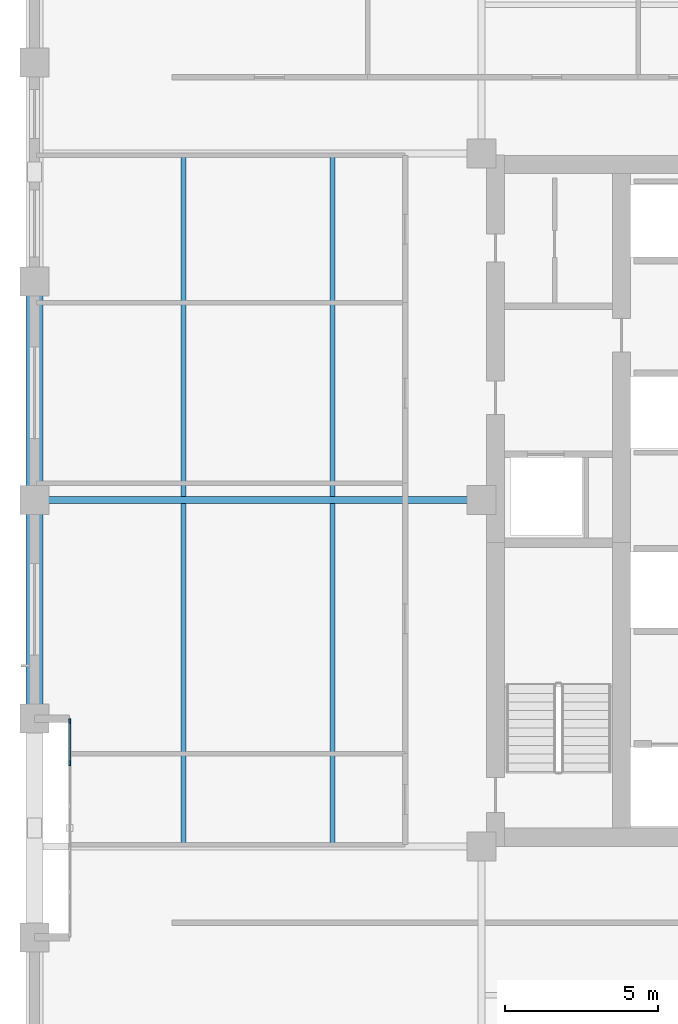
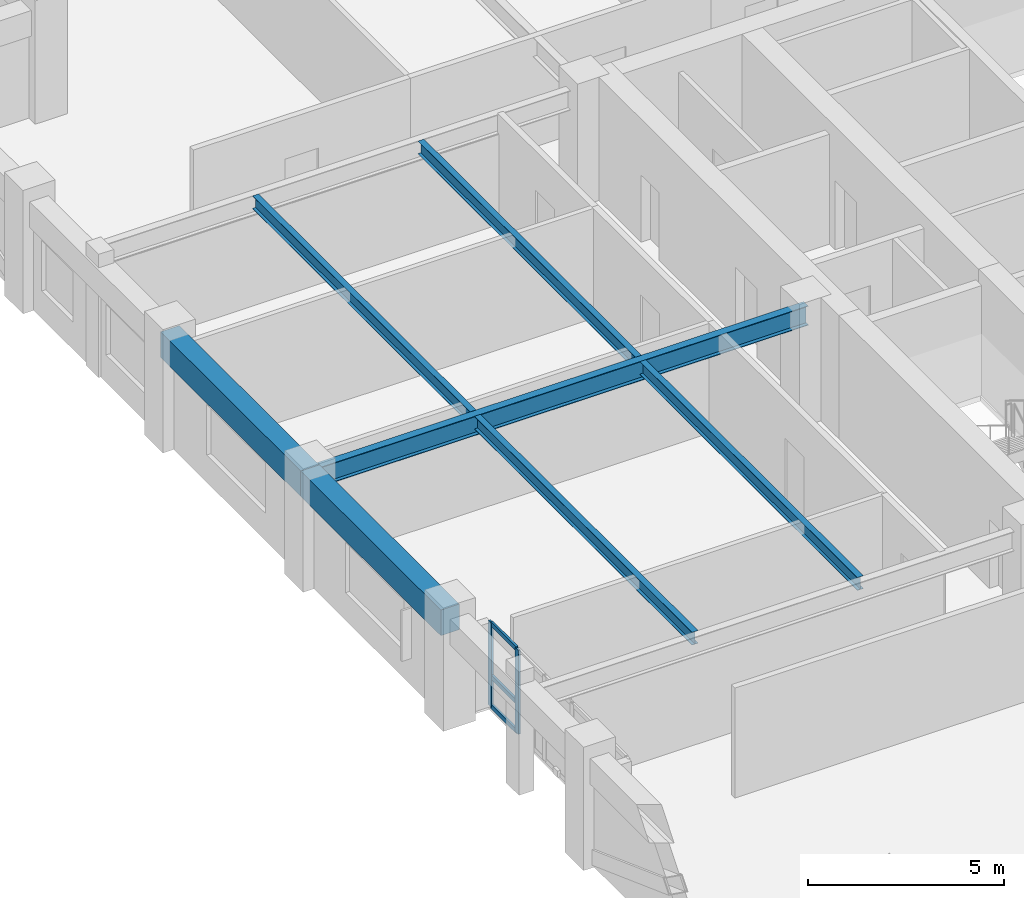
# One storey, part 4 of 14: 7 beams, 5 members, 1 element without a shape of its own.
"""IFC4 building model written with IfcOpenShell, lengths in metres."""

from ifc_helpers import new_model, si_unit, direction, frame, origin, origin_2d, place, context, subcontext, project, spatial, rectangle, i_section, extrude, material, layer, layer_set, material_profile, profile_set, type_object, element, aggregate, save


model = new_model("IFC4")

# Units and contexts
model_context = context("Model", 3, precision=1e-05, world=origin(), true_north=direction((0.0, 1.0)))
body_context = subcontext(model_context, "Body", "Model", "MODEL_VIEW")
ifc_project = project(units=[si_unit("LENGTHUNIT", "METRE"), si_unit("AREAUNIT", "SQUARE_METRE"), si_unit("VOLUMEUNIT", "CUBIC_METRE"), si_unit("PLANEANGLEUNIT", "RADIAN"), si_unit("MASSUNIT", "GRAM", prefix="KILO")], contexts=[model_context])

# Site, building, storey
site_placement = place(None, origin())
site = spatial("IfcSite", under=ifc_project, at=site_placement, CompositionType="ELEMENT")
building_placement = place(site_placement, origin())
building = spatial("IfcBuilding", under=site, at=building_placement, Name="Nhamokura Convention Tower", CompositionType="ELEMENT")
storey_placement = place(building_placement, frame((0.0, 0.0, 172.199951171875)))
storey = spatial("IfcBuildingStorey", under=building, at=storey_placement, Name="L42", CompositionType="ELEMENT", Elevation=172.199951171875)

# Curtain wall, members
ifc_material_1 = material(Name="Anodised bronze aluminium AA6063-T6", Category="aluminium")
ifc_layer = layer(ifc_material_1, 0.159912109375)
ifc_layer_set = layer_set([ifc_layer], Name="CWSystem_ScaleSlot_Zone2")
curtain_wall_type = type_object("IfcCurtainWallType", Name="CWSystem_ScaleSlot_Zone2", PredefinedType="NOTDEFINED", material=ifc_layer_set)
curtain_wall_placement = place(storey_placement, origin())
curtain_wall = element("IfcCurtainWall", 1, at=curtain_wall_placement, inside=storey, type_object=curtain_wall_type, Name="L42 Curtain Wall ENV-L42-SLOT-W1", PredefinedType="NOTDEFINED")
ifc_material_2 = material(Name="Anodised bronze aluminium AA6063-T6", Category="aluminium")
ifc_material_profile_1 = material_profile(ifc_material_2, rectangle(XDim=0.06494140625, YDim=0.1650390625, at=origin_2d()))
ifc_profile_set_1 = profile_set([ifc_material_profile_1], Name="Anodised bronze aluminium AA6063-T6")
member_type_1 = type_object("IfcMemberType", Name="CWMullion_3", PredefinedType="MULLION", material=ifc_profile_set_1)
member_1_placement = place(storey_placement, frame((7.14990234375, 23.364013671875, 0.0), z_axis=(0.0, 0.0, 1.0), x_axis=(-1.0, 0.0, 0.0)))
member_1 = element("IfcMember", 2, at=member_1_placement, type_object=member_type_1, Name="CW-04 mullion 5", PredefinedType="MULLION", context=body_context, shape_type="SweptSolid", body=[
    extrude(rectangle(XDim=0.06494140625, YDim=0.1650390625, at=origin_2d()), origin(), (0.0, 0.0, 1.0), 2.630126953125),
])
member_2_placement = place(storey_placement, frame((7.14990234375, 24.74072265625, 0.0), z_axis=(0.0, 0.0, 1.0), x_axis=(-1.0, 0.0, 0.0)))
member_2 = element("IfcMember", 3, at=member_2_placement, type_object=member_type_1, Name="CW-04 mullion 6", PredefinedType="MULLION", context=body_context, shape_type="SweptSolid", body=[
    extrude(rectangle(XDim=0.06494140625, YDim=0.1650390625, at=origin_2d()), origin(), (0.0, 0.0, 1.0), 2.630126953125),
])
ifc_material_3 = material(Name="Anodised bronze aluminium AA6063-T6", Category="aluminium")
ifc_material_profile_2 = material_profile(ifc_material_3, rectangle(XDim=0.06494140625, YDim=0.139892578125, at=origin_2d()))
ifc_profile_set_2 = profile_set([ifc_material_profile_2], Name="Anodised bronze aluminium AA6063-T6")
member_type_2 = type_object("IfcMemberType", Name="CWTransom_3", PredefinedType="USERDEFINED", material=ifc_profile_set_2)
member_3_placement = place(storey_placement, frame((7.14990234375, 23.396484375, 0.032470703125), z_axis=(0.0, 1.0, 0.0), x_axis=(-1.0, 0.0, 0.0)))
member_3 = element("IfcMember", 4, at=member_3_placement, type_object=member_type_2, Name="CW-04 transom 5.1", ObjectType="TRANSOM", PredefinedType="USERDEFINED", context=body_context, shape_type="SweptSolid", body=[
    extrude(rectangle(XDim=0.06494140625, YDim=0.139892578125, at=origin_2d()), origin(), (0.0, 0.0, 1.0), 1.311767578125),
])
member_4_placement = place(storey_placement, frame((7.14990234375, 23.396484375, 0.949951171875), z_axis=(0.0, 1.0, 0.0), x_axis=(-1.0, 0.0, 0.0)))
member_4 = element("IfcMember", 5, at=member_4_placement, type_object=member_type_2, Name="CW-04 transom 5.2", ObjectType="TRANSOM", PredefinedType="USERDEFINED", context=body_context, shape_type="SweptSolid", body=[
    extrude(rectangle(XDim=0.06494140625, YDim=0.139892578125, at=origin_2d()), origin(), (0.0, 0.0, 1.0), 1.311767578125),
])
member_5_placement = place(storey_placement, frame((7.14990234375, 23.396484375, 2.59765625), z_axis=(0.0, 1.0, 0.0), x_axis=(-1.0, 0.0, 0.0)))
member_5 = element("IfcMember", 6, at=member_5_placement, type_object=member_type_2, Name="CW-04 transom 5.3", ObjectType="TRANSOM", PredefinedType="USERDEFINED", context=body_context, shape_type="SweptSolid", body=[
    extrude(rectangle(XDim=0.06494140625, YDim=0.139892578125, at=origin_2d()), origin(), (0.0, 0.0, 1.0), 1.311767578125),
])
aggregate(curtain_wall, [member_1, member_2, member_3, member_4, member_5])

# Beams
ifc_material_4 = material(Name="Steel ASTM A992 Gr 50", Category="steel")
ifc_material_profile_3 = material_profile(ifc_material_4, i_section(OverallWidth=0.177001953125, OverallDepth=0.403076171875, WebThickness=0.007568359375, FlangeThickness=0.010986328125, at=origin_2d()))
ifc_profile_set_3 = profile_set([ifc_material_profile_3], Name="Steel ASTM A992 Gr 50")
beam_type_1 = type_object("IfcBeamType", Name="FloorJoist_W410X53", PredefinedType="JOIST", material=ifc_profile_set_3)
for number, where, z_axis, x_axis, name in (
    (7, (10.88330078125, 20.761962890625, 3.228515625), (0.0, 1.0, 0.0), (-1.0, 0.0, 0.0), "L42 Composite Floor Joist W1A"),
    (8, (10.88330078125, 32.112060546875, 3.228515625), (0.0, 1.0, 0.0), (-1.0, 0.0, 0.0), "L42 Composite Floor Joist W1B"),
    (9, (15.7666015625, 20.761962890625, 3.228515625), (0.0, 1.0, 0.0), (-1.0, 0.0, 0.0), "L42 Composite Floor Joist W2A"),
    (10, (15.7666015625, 32.112060546875, 3.228515625), (0.0, 1.0, 0.0), (-1.0, 0.0, 0.0), "L42 Composite Floor Joist W2B"),
):
    element("IfcBeam", number, at=place(storey_placement, frame(where, z_axis=z_axis, x_axis=x_axis)), inside=storey, type_object=beam_type_1, Name=name, PredefinedType="JOIST", context=body_context, shape_type="SweptSolid", body=[
        extrude(i_section(OverallWidth=0.177001953125, OverallDepth=0.403076171875, WebThickness=0.007568359375, FlangeThickness=0.010986328125, at=origin_2d()), origin(), (0.0, 0.0, 1.0), 11.1259765625),
    ])
ifc_material_5 = material(Name="Steel ASTM A992 Gr 50", Category="steel")
ifc_material_profile_4 = material_profile(ifc_material_5, i_section(OverallWidth=0.22802734375, OverallDepth=0.60791015625, WebThickness=0.01123046875, FlangeThickness=0.017333984375, at=origin_2d()))
ifc_profile_set_4 = profile_set([ifc_material_profile_4], Name="Steel ASTM A992 Gr 50")
beam_type_2 = type_object("IfcBeamType", Name="PrimaryGirder_W610X113", PredefinedType="BEAM", material=ifc_profile_set_4)
beam_placement = place(storey_placement, frame((6.0, 32.0, 3.1259765625), z_axis=(1.0, 0.0, 0.0), x_axis=(0.0, 1.0, 0.0)))
element("IfcBeam", 11, at=beam_placement, inside=storey, type_object=beam_type_2, Name="L42 Primary Floor Girder PG-W2", PredefinedType="BEAM", context=body_context, shape_type="SweptSolid", body=[
    extrude(i_section(OverallWidth=0.22802734375, OverallDepth=0.60791015625, WebThickness=0.01123046875, FlangeThickness=0.017333984375, at=origin_2d()), origin(), (0.0, 0.0, 1.0), 14.64990234375),
])
ifc_material_6 = material(Name="Concrete C50/60", Category="concrete")
ifc_material_profile_5 = material_profile(ifc_material_6, rectangle(XDim=0.550048828125, YDim=0.800048828125, at=origin_2d()))
ifc_profile_set_5 = profile_set([ifc_material_profile_5], Name="Concrete C50/60")
beam_type_3 = type_object("IfcBeamType", Name="TubeSpandrel_800", PredefinedType="SPANDREL", material=ifc_profile_set_5)
for number, where, z_axis, x_axis, name in (
    (12, (6.0, 24.833251953125, 3.030029296875), (0.0, 1.0, 0.0), (-1.0, 0.0, 0.0), "L42 Perimeter Spandrel WEST 3"),
    (13, (6.0, 32.0, 3.030029296875), (0.0, 1.0, 0.0), (-1.0, 0.0, 0.0), "L42 Perimeter Spandrel WEST 4"),
):
    element("IfcBeam", number, at=place(storey_placement, frame(where, z_axis=z_axis, x_axis=x_axis)), inside=storey, type_object=beam_type_3, Name=name, PredefinedType="SPANDREL", context=body_context, shape_type="SweptSolid", body=[
        extrude(rectangle(XDim=0.550048828125, YDim=0.800048828125, at=origin_2d()), origin(), (0.0, 0.0, 1.0), 7.166748046875),
    ])

save(model, "model.ifc")
